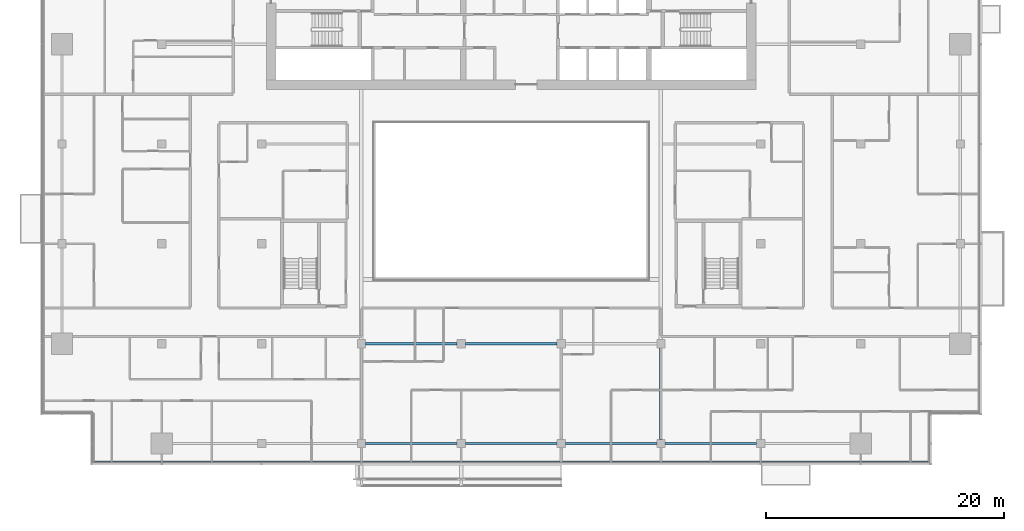
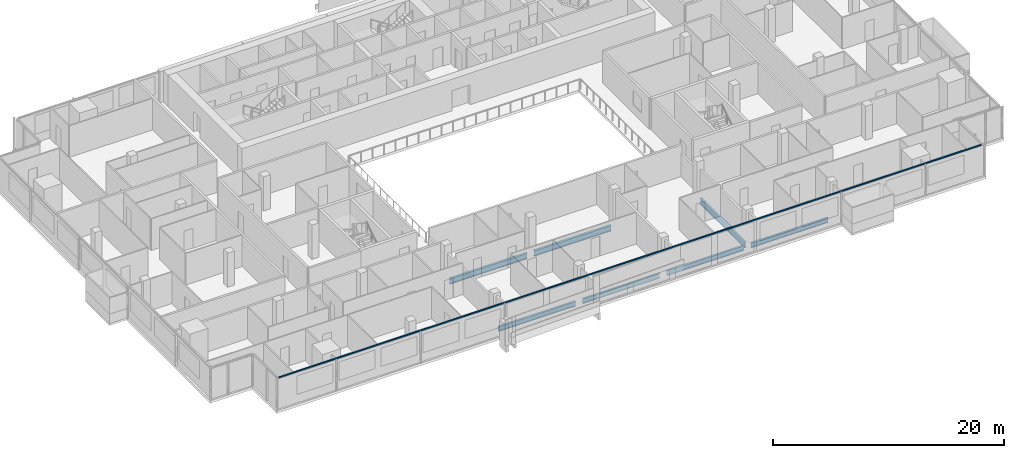
# One storey, part 5 of 27: 7 beams, 1 member, 1 element without a shape of its own.
"""IFC4 building model written with IfcOpenShell, lengths in metres."""

from ifc_helpers import new_model, si_unit, direction, frame, origin, origin_2d, place, context, subcontext, project, spatial, rectangle, i_section, extrude, material, material_profile, profile_set, type_object, element, aggregate, save


model = new_model("IFC4")

# Units and contexts
model_context = context("Model", 3, precision=1e-05, world=origin(), true_north=direction((0.0, 1.0)))
body_context = subcontext(model_context, "Body", "Model", "MODEL_VIEW")
ifc_project = project(units=[si_unit("LENGTHUNIT", "METRE"), si_unit("AREAUNIT", "SQUARE_METRE"), si_unit("VOLUMEUNIT", "CUBIC_METRE"), si_unit("PLANEANGLEUNIT", "RADIAN"), si_unit("MASSUNIT", "GRAM", prefix="KILO")], contexts=[model_context])

# Site, building, storey
site_placement = place(None, origin())
site = spatial("IfcSite", under=ifc_project, at=site_placement, CompositionType="ELEMENT")
building_placement = place(site_placement, origin())
building = spatial("IfcBuilding", under=site, at=building_placement, Name="Saffron Gate Tower", CompositionType="ELEMENT")
storey_placement = place(building_placement, frame((0.0, 0.0, 172.64990234375)))
storey = spatial("IfcBuildingStorey", under=building, at=storey_placement, Name="L42", CompositionType="ELEMENT", Elevation=172.64990234375)

# Beams
ifc_material_1 = material(Name="Structural steel S355", Category="steel")
ifc_material_profile_1 = material_profile(ifc_material_1, i_section(OverallWidth=0.199951171875, OverallDepth=0.5, WebThickness=0.01025390625, FlangeThickness=0.01611328125, FilletRadius=0.02099609375, at=origin_2d()))
ifc_profile_set_1 = profile_set([ifc_material_profile_1], Name="Structural steel S355")
beam_type_1 = type_object("IfcBeamType", Name="B11 IPE 500", PredefinedType="SPANDREL", material=ifc_profile_set_1)
for number, where, z_axis, x_axis, name in (
    (1, (75.35009765625, 31.800048828125, -0.52978515625), (1.0, 0.0, 0.0), (0.0, 1.0, 0.0), "B11 SPANDREL BEAM"),
    (2, (83.75, 31.800048828125, -0.52978515625), (1.0, 0.0, 0.0), (0.0, 1.0, 0.0), "B11 SPANDREL BEAM"),
):
    element("IfcBeam", number, at=place(storey_placement, frame(where, z_axis=z_axis, x_axis=x_axis)), inside=storey, type_object=beam_type_1, Name=name, PredefinedType="SPANDREL", context=body_context, shape_type="SweptSolid", body=[
        extrude(i_section(OverallWidth=0.199951171875, OverallDepth=0.5, WebThickness=0.01025390625, FlangeThickness=0.01611328125, FilletRadius=0.02099609375, at=origin_2d()), origin(), (0.0, 0.0, 1.0), 7.699951171875),
    ])
beam_1_placement = place(storey_placement, frame((92.14990234375, 31.800048828125, -0.52978515625), z_axis=(1.0, 0.0, 0.0), x_axis=(0.0, 1.0, 0.0)))
element("IfcBeam", 3, at=beam_1_placement, inside=storey, type_object=beam_type_1, Name="B11 SPANDREL BEAM", PredefinedType="SPANDREL", context=body_context, shape_type="SweptSolid", body=[
    extrude(i_section(OverallWidth=0.199951171875, OverallDepth=0.5, WebThickness=0.01025390625, FlangeThickness=0.01611328125, FilletRadius=0.02099609375, at=origin_2d()), origin(), (0.0, 0.0, 1.0), 7.7001953125),
])
beam_2_placement = place(storey_placement, frame((100.550048828125, 31.800048828125, -0.52978515625), z_axis=(1.0, 0.0, 0.0), x_axis=(0.0, 1.0, 0.0)))
element("IfcBeam", 4, at=beam_2_placement, inside=storey, type_object=beam_type_1, Name="B11 SPANDREL BEAM", PredefinedType="SPANDREL", context=body_context, shape_type="SweptSolid", body=[
    extrude(i_section(OverallWidth=0.199951171875, OverallDepth=0.5, WebThickness=0.01025390625, FlangeThickness=0.01611328125, FilletRadius=0.02099609375, at=origin_2d()), origin(), (0.0, 0.0, 1.0), 7.699951171875),
])
ifc_material_profile_2 = material_profile(ifc_material_1, i_section(OverallWidth=0.219970703125, OverallDepth=0.60009765625, WebThickness=0.011962890625, FlangeThickness=0.01904296875, FilletRadius=0.02392578125, at=origin_2d()))
ifc_profile_set_2 = profile_set([ifc_material_profile_2], Name="Structural steel S355")
beam_type_2 = type_object("IfcBeamType", Name="B15 IPE 600", PredefinedType="BEAM", material=ifc_profile_set_2)
beam_3_placement = place(storey_placement, frame((100.199951171875, 32.14990234375, -0.579833984375), z_axis=(0.0, 1.0, 0.0), x_axis=(-1.0, 0.0, 0.0)))
element("IfcBeam", 5, at=beam_3_placement, inside=storey, type_object=beam_type_2, Name="B15 FLOOR GIRDER", PredefinedType="BEAM", context=body_context, shape_type="SweptSolid", body=[
    extrude(i_section(OverallWidth=0.219970703125, OverallDepth=0.60009765625, WebThickness=0.011962890625, FlangeThickness=0.01904296875, FilletRadius=0.02392578125, at=origin_2d()), origin(), (0.0, 0.0, 1.0), 7.7001953125),
])
for number, where, z_axis, x_axis, name in (
    (6, (75.35009765625, 40.199951171875, -0.579833984375), (1.0, 0.0, 0.0), (0.0, 1.0, 0.0), "B15 FLOOR GIRDER"),
    (7, (83.75, 40.199951171875, -0.579833984375), (1.0, 0.0, 0.0), (0.0, 1.0, 0.0), "B15 FLOOR GIRDER"),
):
    element("IfcBeam", number, at=place(storey_placement, frame(where, z_axis=z_axis, x_axis=x_axis)), inside=storey, type_object=beam_type_2, Name=name, PredefinedType="BEAM", context=body_context, shape_type="SweptSolid", body=[
        extrude(i_section(OverallWidth=0.219970703125, OverallDepth=0.60009765625, WebThickness=0.011962890625, FlangeThickness=0.01904296875, FilletRadius=0.02392578125, at=origin_2d()), origin(), (0.0, 0.0, 1.0), 7.699951171875),
    ])

# Curtain wall, member
ifc_material_2 = material(Name="Aluminium, bronze anodised", Category="aluminium")
curtain_wall_type = type_object("IfcCurtainWallType", Name="CWS1 curtain wall front facade", PredefinedType="NOTDEFINED", material=ifc_material_2)
curtain_wall_placement = place(storey_placement, origin())
curtain_wall = element("IfcCurtainWall", 8, at=curtain_wall_placement, inside=storey, type_object=curtain_wall_type, Name="CWS1 run 1", PredefinedType="NOTDEFINED")
ifc_material_profile_3 = material_profile(ifc_material_2, rectangle(XDim=0.1201171875, YDim=0.1201171875, at=origin_2d()))
ifc_profile_set_3 = profile_set([ifc_material_profile_3], Name="Aluminium, bronze anodised")
member_type = type_object("IfcMemberType", Name="CWS1 head transom", PredefinedType="USERDEFINED", material=ifc_profile_set_3)
member_placement = place(storey_placement, frame((52.568115234375, 30.248046875, 3.260009765625), z_axis=(1.0, 0.0, 0.0), x_axis=(0.0, 1.0, 0.0)))
member = element("IfcMember", 9, at=member_placement, type_object=member_type, Name="CWS1 head transom", ObjectType="TRANSOM", PredefinedType="USERDEFINED", context=body_context, shape_type="SweptSolid", body=[
    extrude(rectangle(XDim=0.1201171875, YDim=0.1201171875, at=origin_2d()), origin(), (0.0, 0.0, 1.0), 70.06396484375),
])
aggregate(curtain_wall, [member])

save(model, "model.ifc")
